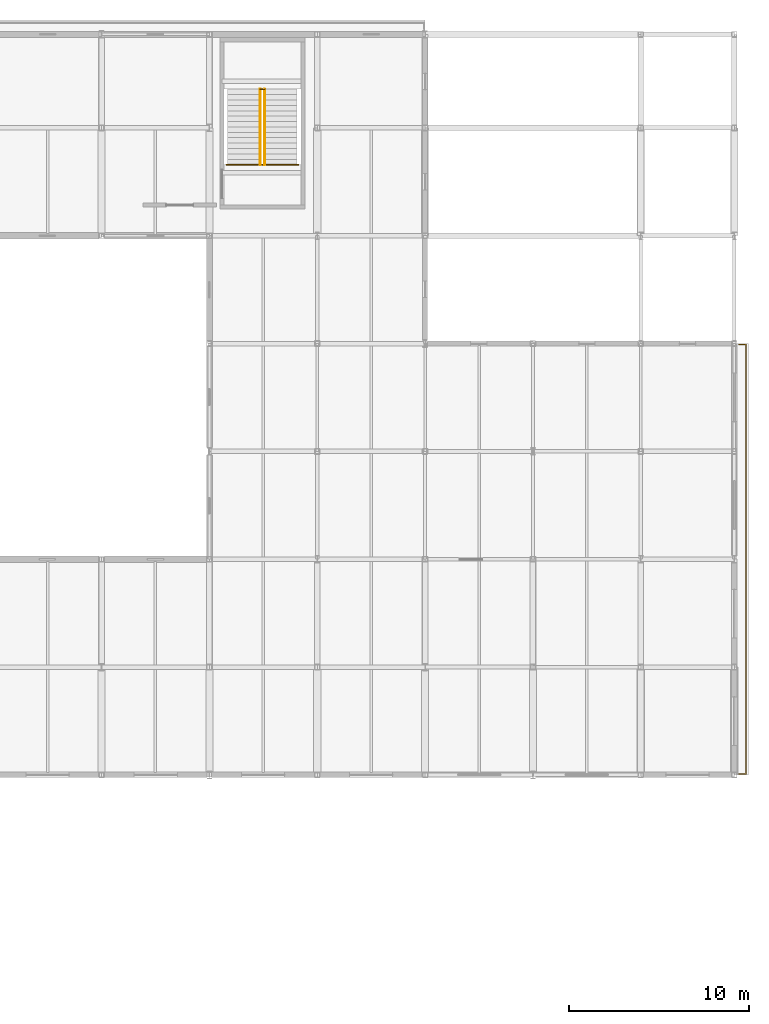
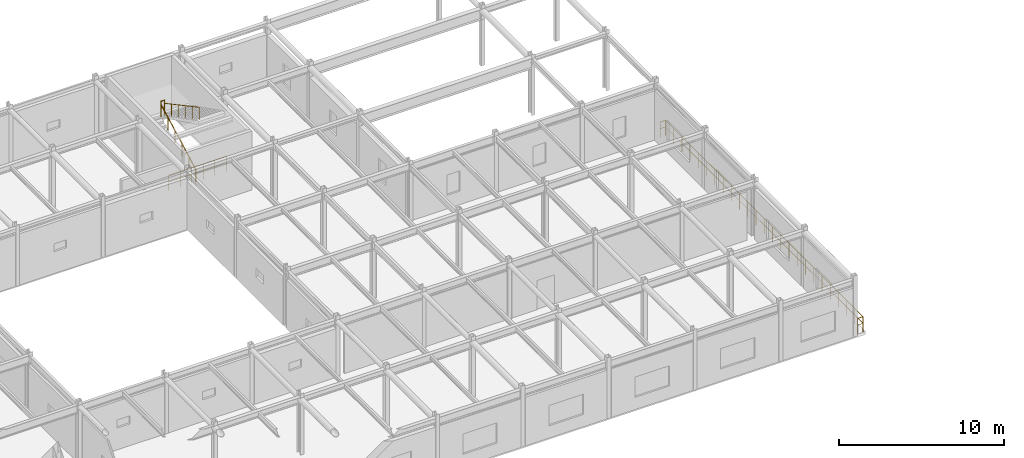
# One storey, part 96 of 96: 5 railings.
"""IFC4 building model written with IfcOpenShell, lengths in metres."""

from ifc_helpers import new_model, si_unit, direction, frame, origin, origin_2d, place, context, subcontext, project, spatial, circle, extrude, material, type_object, element, save


model = new_model("IFC4")

# Units and contexts
model_context = context("Model", 3, precision=1e-05, world=origin(), true_north=direction((0.0, 1.0)))
body_context = subcontext(model_context, "Body", "Model", "MODEL_VIEW")
ifc_project = project(units=[si_unit("LENGTHUNIT", "METRE"), si_unit("AREAUNIT", "SQUARE_METRE"), si_unit("VOLUMEUNIT", "CUBIC_METRE"), si_unit("PLANEANGLEUNIT", "RADIAN"), si_unit("MASSUNIT", "GRAM", prefix="KILO")], contexts=[model_context])

# Site, building, storey
site_placement = place(None, origin())
site = spatial("IfcSite", under=ifc_project, at=site_placement, CompositionType="ELEMENT")
building_placement = place(site_placement, origin())
building = spatial("IfcBuilding", under=site, at=building_placement, Name="Varnakota Square Police Headquarters", CompositionType="ELEMENT")
storey_placement = place(building_placement, frame((0.0, 0.0, 4.800048828125)))
storey = spatial("IfcBuildingStorey", under=building, at=storey_placement, Name="L01", CompositionType="ELEMENT", Elevation=4.800048828125)

# Railings
ifc_material_1 = material(Name="Galvanised Powder-Coated Steel Guardrail", Category="steel")
railing_type_1 = type_object("IfcRailingType", Name="RL-BAL-1150", PredefinedType="BALUSTRADE", material=ifc_material_1)
railing_1_placement = place(storey_placement, frame((161.48095703125, 92.949951171875, 0.0)))
element("IfcRailing", 1, at=railing_1_placement, inside=storey, type_object=railing_type_1, Name="Perimeter edge safety guard GD-AUTO-L01-029", PredefinedType="BALUSTRADE", context=body_context, shape_type="SweptSolid", body=[
    extrude(circle(Radius=0.02392578125, at=origin_2d()), frame((0.0, 0.0, 1.1259765625), z_axis=(1.0, 0.0, 0.0), x_axis=(0.0, 1.0, 0.0)), (0.0, 0.0, 1.0), 0.369140625),
    extrude(circle(Radius=0.01806640625, at=origin_2d()), frame((0.0, 0.0, 0.63232421875), z_axis=(1.0, 0.0, 0.0), x_axis=(0.0, 1.0, 0.0)), (0.0, 0.0, 1.0), 0.369140625),
    extrude(circle(Radius=0.02392578125, at=origin_2d()), frame((0.369140625, 0.0, 1.1259765625), z_axis=(0.0, -1.0, 0.0), x_axis=(1.0, 0.0, 0.0)), (0.0, 0.0, 1.0), 23.89990234375),
    extrude(circle(Radius=0.01806640625, at=origin_2d()), frame((0.369140625, 0.0, 0.63232421875), z_axis=(0.0, -1.0, 0.0), x_axis=(1.0, 0.0, 0.0)), (0.0, 0.0, 1.0), 23.89990234375),
    extrude(circle(Radius=0.02392578125, at=origin_2d()), frame((0.369140625, -23.89990234375, 1.1259765625), z_axis=(-1.0, 0.0, 0.0), x_axis=(0.0, -1.0, 0.0)), (0.0, 0.0, 1.0), 0.369140625),
    extrude(circle(Radius=0.01806640625, at=origin_2d()), frame((0.369140625, -23.89990234375, 0.63232421875), z_axis=(-1.0, 0.0, 0.0), x_axis=(0.0, -1.0, 0.0)), (0.0, 0.0, 1.0), 0.369140625),
    extrude(circle(Radius=0.02099609375, at=origin_2d()), origin(), (0.0, 0.0, 1.0), 1.101806640625),
    extrude(circle(Radius=0.02099609375, at=origin_2d()), frame((0.369140625, 0.0, 0.0)), (0.0, 0.0, 1.0), 1.101806640625),
    extrude(circle(Radius=0.02099609375, at=origin_2d()), frame((0.369140625, -0.995849609375, 0.0)), (0.0, 0.0, 1.0), 1.101806640625),
    extrude(circle(Radius=0.02099609375, at=origin_2d()), frame((0.369140625, -1.99169921875, 0.0)), (0.0, 0.0, 1.0), 1.101806640625),
    extrude(circle(Radius=0.02099609375, at=origin_2d()), frame((0.369140625, -2.987548828125, 0.0)), (0.0, 0.0, 1.0), 1.101806640625),
    extrude(circle(Radius=0.02099609375, at=origin_2d()), frame((0.369140625, -3.9833984375, 0.0)), (0.0, 0.0, 1.0), 1.101806640625),
    extrude(circle(Radius=0.02099609375, at=origin_2d()), frame((0.369140625, -4.979248046875, 0.0)), (0.0, 0.0, 1.0), 1.101806640625),
    extrude(circle(Radius=0.02099609375, at=origin_2d()), frame((0.369140625, -5.97509765625, 0.0)), (0.0, 0.0, 1.0), 1.101806640625),
    extrude(circle(Radius=0.02099609375, at=origin_2d()), frame((0.369140625, -6.970703125, 0.0)), (0.0, 0.0, 1.0), 1.101806640625),
    extrude(circle(Radius=0.02099609375, at=origin_2d()), frame((0.369140625, -7.966552734375, 0.0)), (0.0, 0.0, 1.0), 1.101806640625),
    extrude(circle(Radius=0.02099609375, at=origin_2d()), frame((0.369140625, -8.96240234375, 0.0)), (0.0, 0.0, 1.0), 1.101806640625),
    extrude(circle(Radius=0.02099609375, at=origin_2d()), frame((0.369140625, -9.958251953125, 0.0)), (0.0, 0.0, 1.0), 1.101806640625),
    extrude(circle(Radius=0.02099609375, at=origin_2d()), frame((0.369140625, -10.9541015625, 0.0)), (0.0, 0.0, 1.0), 1.101806640625),
    extrude(circle(Radius=0.02099609375, at=origin_2d()), frame((0.369140625, -11.949951171875, 0.0)), (0.0, 0.0, 1.0), 1.101806640625),
    extrude(circle(Radius=0.02099609375, at=origin_2d()), frame((0.369140625, -12.94580078125, 0.0)), (0.0, 0.0, 1.0), 1.101806640625),
    extrude(circle(Radius=0.02099609375, at=origin_2d()), frame((0.369140625, -13.941650390625, 0.0)), (0.0, 0.0, 1.0), 1.101806640625),
    extrude(circle(Radius=0.02099609375, at=origin_2d()), frame((0.369140625, -14.9375, 0.0)), (0.0, 0.0, 1.0), 1.101806640625),
    extrude(circle(Radius=0.02099609375, at=origin_2d()), frame((0.369140625, -15.933349609375, 0.0)), (0.0, 0.0, 1.0), 1.101806640625),
    extrude(circle(Radius=0.02099609375, at=origin_2d()), frame((0.369140625, -16.92919921875, 0.0)), (0.0, 0.0, 1.0), 1.101806640625),
    extrude(circle(Radius=0.02099609375, at=origin_2d()), frame((0.369140625, -17.9248046875, 0.0)), (0.0, 0.0, 1.0), 1.101806640625),
    extrude(circle(Radius=0.02099609375, at=origin_2d()), frame((0.369140625, -18.920654296875, 0.0)), (0.0, 0.0, 1.0), 1.101806640625),
    extrude(circle(Radius=0.02099609375, at=origin_2d()), frame((0.369140625, -19.91650390625, 0.0)), (0.0, 0.0, 1.0), 1.101806640625),
    extrude(circle(Radius=0.02099609375, at=origin_2d()), frame((0.369140625, -20.912353515625, 0.0)), (0.0, 0.0, 1.0), 1.101806640625),
    extrude(circle(Radius=0.02099609375, at=origin_2d()), frame((0.369140625, -21.908203125, 0.0)), (0.0, 0.0, 1.0), 1.101806640625),
    extrude(circle(Radius=0.02099609375, at=origin_2d()), frame((0.369140625, -22.904052734375, 0.0)), (0.0, 0.0, 1.0), 1.101806640625),
    extrude(circle(Radius=0.02099609375, at=origin_2d()), frame((0.369140625, -23.89990234375, 0.0)), (0.0, 0.0, 1.0), 1.101806640625),
    extrude(circle(Radius=0.02099609375, at=origin_2d()), frame((0.0, -23.89990234375, 0.0)), (0.0, 0.0, 1.0), 1.101806640625),
])
ifc_material_2 = material(Name="Brushed Stainless Steel Tubular Handrail", Category="steel")
railing_type_2 = type_object("IfcRailingType", Name="RL-HND-920", PredefinedType="HANDRAIL", material=ifc_material_2)
railing_2_placement = place(storey_placement, frame((134.830078125, 102.949951171875, 0.0)))
element("IfcRailing", 2, at=railing_2_placement, inside=storey, type_object=railing_type_2, Name="Stair flight handrail HR-L01-087", PredefinedType="HANDRAIL", context=body_context, shape_type="SweptSolid", body=[
    extrude(circle(Radius=0.02392578125, at=origin_2d()), frame((0.0, 0.0, 0.89599609375), z_axis=(0.0, 0.881511956786, 0.472161699043), x_axis=(-1.0, 0.0, 0.0)), (0.0, 0.0, 1.0), 4.765380859375),
    extrude(circle(Radius=0.02099609375, at=origin_2d()), origin(), (0.0, 0.0, 1.0), 0.871826171875),
    extrude(circle(Radius=0.02099609375, at=origin_2d()), frame((0.0, 0.840087890625, 0.449951171875)), (0.0, 0.0, 1.0), 0.871826171875),
    extrude(circle(Radius=0.02099609375, at=origin_2d()), frame((0.0, 1.68017578125, 0.89990234375)), (0.0, 0.0, 1.0), 0.871826171875),
    extrude(circle(Radius=0.02099609375, at=origin_2d()), frame((0.0, 2.5205078125, 1.35009765625)), (0.0, 0.0, 1.0), 0.871826171875),
    extrude(circle(Radius=0.02099609375, at=origin_2d()), frame((0.0, 3.360595703125, 1.800048828125)), (0.0, 0.0, 1.0), 0.871826171875),
    extrude(circle(Radius=0.02099609375, at=origin_2d()), frame((0.0, 4.20068359375, 2.25)), (0.0, 0.0, 1.0), 0.871826171875),
])
railing_3_placement = place(storey_placement, frame((135.070068359375, 107.150634765625, 2.25)))
element("IfcRailing", 3, at=railing_3_placement, inside=storey, type_object=railing_type_2, Name="Stair flight handrail HR-L01-088", PredefinedType="HANDRAIL", context=body_context, shape_type="SweptSolid", body=[
    extrude(circle(Radius=0.02392578125, at=origin_2d()), frame((0.0, 0.0, 0.89599609375), z_axis=(0.0, -0.881511956786, 0.472161699043), x_axis=(1.0, 0.0, 0.0)), (0.0, 0.0, 1.0), 4.765380859375),
    extrude(circle(Radius=0.02099609375, at=origin_2d()), origin(), (0.0, 0.0, 1.0), 0.871826171875),
    extrude(circle(Radius=0.02099609375, at=origin_2d()), frame((0.0, -0.840087890625, 0.449951171875)), (0.0, 0.0, 1.0), 0.871826171875),
    extrude(circle(Radius=0.02099609375, at=origin_2d()), frame((0.0, -1.68017578125, 0.89990234375)), (0.0, 0.0, 1.0), 0.871826171875),
    extrude(circle(Radius=0.02099609375, at=origin_2d()), frame((0.0, -2.5205078125, 1.35009765625)), (0.0, 0.0, 1.0), 0.871826171875),
    extrude(circle(Radius=0.02099609375, at=origin_2d()), frame((0.0, -3.360595703125, 1.800048828125)), (0.0, 0.0, 1.0), 0.871826171875),
    extrude(circle(Radius=0.02099609375, at=origin_2d()), frame((0.0, -4.20068359375, 2.25)), (0.0, 0.0, 1.0), 0.871826171875),
])
ifc_material_3 = material(Name="Laminated Glass and Stainless Steel Balustrade", Category="steel")
railing_type_3 = type_object("IfcRailingType", Name="RL-INT-1150", PredefinedType="BALUSTRADE", material=ifc_material_3)
railing_4_placement = place(storey_placement, frame((132.93994140625, 102.949951171875, 0.0)))
element("IfcRailing", 4, at=railing_4_placement, inside=storey, type_object=railing_type_3, Name="Stair well safety guard C8 L01", PredefinedType="BALUSTRADE", context=body_context, shape_type="SweptSolid", body=[
    extrude(circle(Radius=0.02392578125, at=origin_2d()), frame((0.0, 0.0, 1.1259765625), z_axis=(1.0, 0.0, 0.0), x_axis=(0.0, 1.0, 0.0)), (0.0, 0.0, 1.0), 4.02001953125),
    extrude(circle(Radius=0.01806640625, at=origin_2d()), frame((0.0, 0.0, 0.63232421875), z_axis=(1.0, 0.0, 0.0), x_axis=(0.0, 1.0, 0.0)), (0.0, 0.0, 1.0), 4.02001953125),
    extrude(circle(Radius=0.02099609375, at=origin_2d()), origin(), (0.0, 0.0, 1.0), 1.101806640625),
    extrude(circle(Radius=0.02099609375, at=origin_2d()), frame((0.803955078125, 0.0, 0.0)), (0.0, 0.0, 1.0), 1.101806640625),
    extrude(circle(Radius=0.02099609375, at=origin_2d()), frame((1.60791015625, 0.0, 0.0)), (0.0, 0.0, 1.0), 1.101806640625),
    extrude(circle(Radius=0.02099609375, at=origin_2d()), frame((2.412109375, 0.0, 0.0)), (0.0, 0.0, 1.0), 1.101806640625),
    extrude(circle(Radius=0.02099609375, at=origin_2d()), frame((3.216064453125, 0.0, 0.0)), (0.0, 0.0, 1.0), 1.101806640625),
    extrude(circle(Radius=0.02099609375, at=origin_2d()), frame((4.02001953125, 0.0, 0.0)), (0.0, 0.0, 1.0), 1.101806640625),
])
railing_5_placement = place(storey_placement, frame((134.820068359375, 107.150634765625, 2.25)))
element("IfcRailing", 5, at=railing_5_placement, inside=storey, type_object=railing_type_3, Name="Half-landing well guard C8 L01", PredefinedType="BALUSTRADE", context=body_context, shape_type="SweptSolid", body=[
    extrude(circle(Radius=0.02392578125, at=origin_2d()), frame((0.0, 0.0, 1.1259765625), z_axis=(1.0, 0.0, 0.0), x_axis=(0.0, 1.0, 0.0)), (0.0, 0.0, 1.0), 0.260009765625),
    extrude(circle(Radius=0.01806640625, at=origin_2d()), frame((0.0, 0.0, 0.63232421875), z_axis=(1.0, 0.0, 0.0), x_axis=(0.0, 1.0, 0.0)), (0.0, 0.0, 1.0), 0.260009765625),
    extrude(circle(Radius=0.02099609375, at=origin_2d()), origin(), (0.0, 0.0, 1.0), 1.101806640625),
    extrude(circle(Radius=0.02099609375, at=origin_2d()), frame((0.260009765625, 0.0, 0.0)), (0.0, 0.0, 1.0), 1.101806640625),
])

save(model, "model.ifc")
